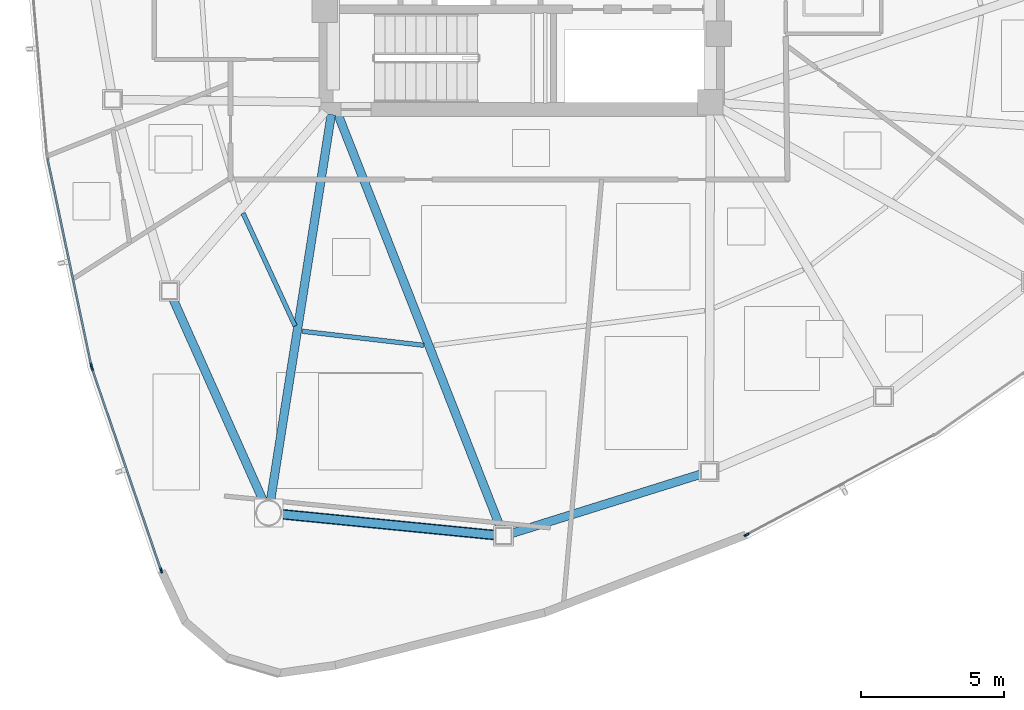
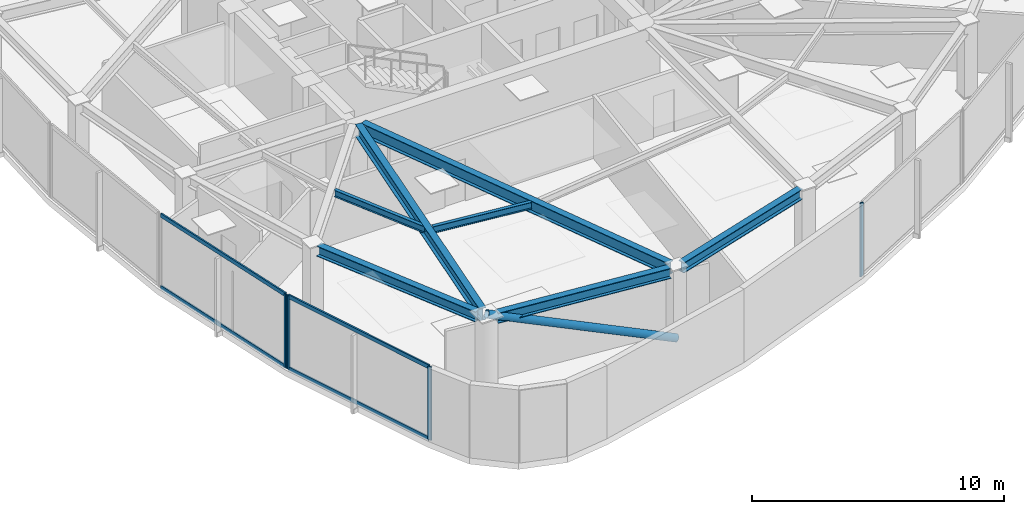
# One storey, part 2 of 17: 9 members, 7 beams, 3 elements without a shape of their own.
"""IFC4 building model written with IfcOpenShell, lengths in metres."""

from ifc_helpers import new_model, si_unit, direction, frame, origin, origin_2d, place, context, subcontext, project, spatial, hollow_rectangle, hollow_circle, i_section, extrude, source, transform, mapped, material, layer, layer_set, material_profile, profile_set, type_object, type_shapes, element, aggregate, save


model = new_model("IFC4")

# Units and contexts
model_context = context("Model", 3, precision=1e-05, world=origin(), true_north=direction((0.0, 1.0)))
body_context = subcontext(model_context, "Body", "Model", "MODEL_VIEW")
ifc_project = project(units=[si_unit("LENGTHUNIT", "METRE"), si_unit("AREAUNIT", "SQUARE_METRE"), si_unit("VOLUMEUNIT", "CUBIC_METRE"), si_unit("PLANEANGLEUNIT", "RADIAN"), si_unit("MASSUNIT", "GRAM", prefix="KILO")], contexts=[model_context])

# Site, building, storey
site_placement = place(None, origin())
site = spatial("IfcSite", under=ifc_project, at=site_placement, CompositionType="ELEMENT")
building_placement = place(site_placement, origin())
building = spatial("IfcBuilding", under=site, at=building_placement, Name="Tavelor Broadcast Tower", CompositionType="ELEMENT")
storey_placement = place(building_placement, frame((0.0, 0.0, 165.64990234375)))
storey = spatial("IfcBuildingStorey", under=building, at=storey_placement, Name="L39", CompositionType="ELEMENT", Elevation=165.64990234375)

# Beams
ifc_material_1 = material(Name="Steel S355", Category="steel")
ifc_material_profile_1 = material_profile(ifc_material_1, i_section(OverallWidth=0.159912109375, OverallDepth=0.330078125, WebThickness=0.007568359375, FlangeThickness=0.011474609375, at=origin_2d()), Name="IPE 330")
ifc_profile_set_1 = profile_set([ifc_material_profile_1], Name="Steel S355")
beam_type_1 = type_object("IfcBeamType", Name="Composite Floor Joist T4 IPE 330", PredefinedType="JOIST", material=ifc_profile_set_1)
beam_1_placement = place(storey_placement, frame((40.2470703125, 34.91259765625, 3.385009765625), z_axis=(0.418865688231, -0.908048200936, 0.0), x_axis=(0.908048200936, 0.418865688231, 0.0)))
element("IfcBeam", 1, at=beam_1_placement, inside=storey, type_object=beam_type_1, Name="L39 Secondary Composite Floor Joist 06", PredefinedType="JOIST", context=body_context, shape_type="SweptSolid", body=[
    extrude(i_section(OverallWidth=0.159912109375, OverallDepth=0.330078125, WebThickness=0.007568359375, FlangeThickness=0.011474609375, at=origin_2d()), origin(), (0.0, 0.0, 1.0), 4.343505859375),
])
beam_2_placement = place(storey_placement, frame((42.322021484375, 30.783447265625, 3.385009765625), z_axis=(0.99339343168, -0.114758397927, 0.0), x_axis=(0.114758397927, 0.99339343168, 0.0)))
element("IfcBeam", 2, at=beam_2_placement, inside=storey, type_object=beam_type_1, Name="L39 Secondary Composite Floor Joist 07", PredefinedType="JOIST", context=body_context, shape_type="SweptSolid", body=[
    extrude(i_section(OverallWidth=0.159912109375, OverallDepth=0.330078125, WebThickness=0.007568359375, FlangeThickness=0.011474609375, at=origin_2d()), origin(), (0.0, 0.0, 1.0), 4.2783203125),
])
ifc_material_profile_2 = material_profile(ifc_material_1, i_section(OverallWidth=0.300048828125, OverallDepth=0.5, WebThickness=0.014404296875, FlangeThickness=0.028076171875, at=origin_2d()), Name="HEB 500")
ifc_profile_set_2 = profile_set([ifc_material_profile_2], Name="Steel S355")
beam_type_2 = type_object("IfcBeamType", Name="Perimeter Spandrel Beam T4 HEB 500", PredefinedType="SPANDREL", material=ifc_profile_set_2)
beam_3_placement = place(storey_placement, frame((37.78564453125, 31.927490234375, 3.300048828125), z_axis=(0.407969002466, -0.912995779304, 0.0), x_axis=(0.912995779304, 0.407969002466, 0.0)))
element("IfcBeam", 3, at=beam_3_placement, inside=storey, type_object=beam_type_2, Name="L39 Framed-Tube Ring Spandrel 06", PredefinedType="SPANDREL", context=body_context, shape_type="SweptSolid", body=[
    extrude(i_section(OverallWidth=0.300048828125, OverallDepth=0.5, WebThickness=0.014404296875, FlangeThickness=0.028076171875, at=origin_2d()), origin(), (0.0, 0.0, 1.0), 7.7802734375),
])
beam_4_placement = place(storey_placement, frame((41.5751953125, 24.381103515625, 3.300048828125), z_axis=(0.995249339376, -0.097358884918, 0.0), x_axis=(0.097358884918, 0.995249339376, 0.0)))
element("IfcBeam", 4, at=beam_4_placement, inside=storey, type_object=beam_type_2, Name="L39 Framed-Tube Ring Spandrel 07", PredefinedType="SPANDREL", context=body_context, shape_type="SweptSolid", body=[
    extrude(i_section(OverallWidth=0.300048828125, OverallDepth=0.5, WebThickness=0.014404296875, FlangeThickness=0.028076171875, at=origin_2d()), origin(), (0.0, 0.0, 1.0), 7.54052734375),
])
beam_5_placement = place(storey_placement, frame((49.641357421875, 23.705078125, 3.300048828125), z_axis=(0.954273247332, 0.298935727918, 0.0), x_axis=(-0.298935727918, 0.954273247332, 0.0)))
element("IfcBeam", 5, at=beam_5_placement, inside=storey, type_object=beam_type_2, Name="L39 Framed-Tube Ring Spandrel 08", PredefinedType="SPANDREL", context=body_context, shape_type="SweptSolid", body=[
    extrude(i_section(OverallWidth=0.300048828125, OverallDepth=0.5, WebThickness=0.014404296875, FlangeThickness=0.028076171875, at=origin_2d()), origin(), (0.0, 0.0, 1.0), 6.963134765625),
])

# Member
ifc_material_profile_3 = material_profile(ifc_material_1, hollow_circle(Radius=0.177734375, WallThickness=0.01611328125, at=origin_2d()), Name="CHS 355.6x16")
ifc_profile_set_3 = profile_set([ifc_material_profile_3], Name="Steel S355")
member_type_1 = type_object("IfcMemberType", Name="Perimeter Tube Brace T4 CHS 355.6x16", PredefinedType="BRACE", material=ifc_profile_set_3)
member_1_placement = place(storey_placement, frame((49.366455078125, 23.618896484375, 0.0), z_axis=(-0.914496364203, 0.089466025126, 0.394578547577), x_axis=(-0.097366094377, -0.995248634094, 0.0)))
element("IfcMember", 6, at=member_1_placement, inside=storey, type_object=member_type_1, Name="L39 Corner Tube Diagonal Brace 2", PredefinedType="BRACE", context=body_context, shape_type="SweptSolid", body=[
    extrude(hollow_circle(Radius=0.177734375, WallThickness=0.01611328125, at=origin_2d()), origin(), (0.0, 0.0, 1.0), 8.9970703125),
])

# Beams
ifc_material_profile_4 = material_profile(ifc_material_1, i_section(OverallWidth=0.300048828125, OverallDepth=0.590087890625, WebThickness=0.012939453125, FlangeThickness=0.02490234375, at=origin_2d()), Name="HEA 600")
ifc_profile_set_4 = profile_set([ifc_material_profile_4], Name="Steel S355")
beam_type_3 = type_object("IfcBeamType", Name="Radial Floor Girder T4 HEA 600", PredefinedType="BEAM", material=ifc_profile_set_4)
beam_6_placement = place(storey_placement, frame((43.3330078125, 38.373291015625, 3.255126953125), z_axis=(-0.15539903111, -0.987851780952, 0.0), x_axis=(0.987851780952, -0.15539903111, 0.0)))
element("IfcBeam", 7, at=beam_6_placement, inside=storey, type_object=beam_type_3, Name="L39 Radial Primary Floor Girder 07", PredefinedType="BEAM", context=body_context, shape_type="SweptSolid", body=[
    extrude(i_section(OverallWidth=0.300048828125, OverallDepth=0.590087890625, WebThickness=0.012939453125, FlangeThickness=0.02490234375, at=origin_2d()), origin(), (0.0, 0.0, 1.0), 13.682373046875),
])
beam_7_placement = place(storey_placement, frame((43.55810546875, 38.39794921875, 3.255126953125), z_axis=(0.365784627572, -0.930699525213, 0.0), x_axis=(0.930699525213, 0.365784627572, 0.0)))
element("IfcBeam", 8, at=beam_7_placement, inside=storey, type_object=beam_type_3, Name="L39 Radial Primary Floor Girder 08", PredefinedType="BEAM", context=body_context, shape_type="SweptSolid", body=[
    extrude(i_section(OverallWidth=0.300048828125, OverallDepth=0.590087890625, WebThickness=0.012939453125, FlangeThickness=0.02490234375, at=origin_2d()), origin(), (0.0, 0.0, 1.0), 15.591552734375),
])

# Curtain wall, member
ifc_material_2 = material(Name="Architectural Anodized Aluminium", Category="aluminium")
ifc_layer = layer(ifc_material_2, 0.18994140625)
ifc_layer_set = layer_set([ifc_layer], Name="Architectural Anodized Aluminium")
curtain_wall_type = type_object("IfcCurtainWallType", Name="Tower Mid-Zone Acoustic Curtain Wall CW03", PredefinedType="NOTDEFINED", material=ifc_layer_set)
curtain_wall_1_placement = place(storey_placement, origin())
curtain_wall_1 = element("IfcCurtainWall", 9, at=curtain_wall_1_placement, inside=storey, type_object=curtain_wall_type, Name="L39 Curtain Wall CW03 Run 411", PredefinedType="NOTDEFINED")
ifc_material_profile_5 = material_profile(ifc_material_2, hollow_rectangle(XDim=0.068115234375, YDim=0.18994140625, WallThickness=0.02197265625, at=origin_2d()), Name="RHS 68x190x22")
ifc_profile_set_5 = profile_set([ifc_material_profile_5], Name="Architectural Anodized Aluminium")
member_type_2 = type_object("IfcMemberType", Name="CW03 Extruded Aluminium Mullion 68x190", PredefinedType="MULLION", material=ifc_profile_set_5)
shared_shape_1 = source(origin(), body_context, "Body", "SweptSolid", [
    extrude(hollow_rectangle(XDim=0.068115234375, YDim=0.18994140625, WallThickness=0.02197265625, at=origin_2d()), origin(), (0.0, 0.0, 1.0), 3.550048828125),
])
type_shapes(member_type_2, [shared_shape_1])
member_2_placement = place(storey_placement, frame((34.93359375, 29.582275390625, 0.0), z_axis=(0.0, 0.0, 1.0), x_axis=(0.978414644475, 0.206651357307, 0.0)))
member_2 = element("IfcMember", 10, at=member_2_placement, type_object=member_type_2, Name="CW03 mullion 2", PredefinedType="MULLION", context=body_context, shape_type="MappedRepresentation", body=[
    mapped(shared_shape_1, transform((0.0, 0.0, 0.0), scale=1.0)),
])

# Curtain wall, members
curtain_wall_2_placement = place(storey_placement, origin())
curtain_wall_2 = element("IfcCurtainWall", 11, at=curtain_wall_2_placement, inside=storey, type_object=curtain_wall_type, Name="L39 Curtain Wall CW03 Run 412", PredefinedType="NOTDEFINED")
member_3_placement = place(storey_placement, frame((34.959716796875, 29.488037109375, 0.0), z_axis=(0.0, 0.0, 1.0), x_axis=(0.946224671144, 0.323510234332, 0.0)))
member_3 = element("IfcMember", 12, at=member_3_placement, type_object=member_type_2, Name="CW03 mullion 1", PredefinedType="MULLION", context=body_context, shape_type="MappedRepresentation", body=[
    mapped(shared_shape_1, transform((0.0, 0.0, 0.0), scale=1.0)),
])
member_4_placement = place(storey_placement, frame((37.37744140625, 22.416748046875, 0.0), z_axis=(0.0, 0.0, 1.0), x_axis=(0.946224671144, 0.323510234332, 0.0)))
member_4 = element("IfcMember", 13, at=member_4_placement, type_object=member_type_2, Name="CW03 mullion 2", PredefinedType="MULLION", context=body_context, shape_type="MappedRepresentation", body=[
    mapped(shared_shape_1, transform((0.0, 0.0, 0.0), scale=1.0)),
])

# Curtain wall, member
curtain_wall_3_placement = place(storey_placement, origin())
curtain_wall_3 = element("IfcCurtainWall", 14, at=curtain_wall_3_placement, inside=storey, type_object=curtain_wall_type, Name="L39 Curtain Wall CW03 Run 413", PredefinedType="NOTDEFINED")
member_5_placement = place(storey_placement, frame((57.870361328125, 23.6630859375, 0.0), z_axis=(0.0, 0.0, 1.0), x_axis=(-0.469837080168, 0.882753146751, 0.0)))
member_5 = element("IfcMember", 15, at=member_5_placement, type_object=member_type_2, Name="CW03 mullion 1", PredefinedType="MULLION", context=body_context, shape_type="MappedRepresentation", body=[
    mapped(shared_shape_1, transform((0.0, 0.0, 0.0), scale=1.0)),
])
aggregate(curtain_wall_3, [member_5])

# Member
ifc_material_profile_6 = material_profile(ifc_material_2, hollow_rectangle(XDim=0.068115234375, YDim=0.18994140625, WallThickness=0.02197265625, at=origin_2d()), Name="RHS 68x190x22")
ifc_profile_set_6 = profile_set([ifc_material_profile_6], Name="Architectural Anodized Aluminium")
member_type_3 = type_object("IfcMemberType", Name="CW03 Extruded Aluminium Transom 68x190", PredefinedType="USERDEFINED", material=ifc_profile_set_6)
shared_shape_2 = source(origin(), body_context, "Body", "SweptSolid", [
    extrude(hollow_rectangle(XDim=0.068115234375, YDim=0.18994140625, WallThickness=0.02197265625, at=origin_2d()), origin(), (0.0, 0.0, 1.0), 7.38916015625),
])
member_6_placement = place(storey_placement, frame((33.399658203125, 36.845458984375, 0.0341796875), z_axis=(0.206664836166, -0.978411797503, 0.0), x_axis=(0.978411797503, 0.206664836166, 0.0)))
member_6 = element("IfcMember", 16, at=member_6_placement, type_object=member_type_3, Name="CW03 transom 1.1", ObjectType="TRANSOM", PredefinedType="USERDEFINED", context=body_context, shape_type="MappedRepresentation", body=[
    mapped(shared_shape_2, transform((0.0, 0.0, 0.0), scale=1.0)),
])

member_7_placement = place(storey_placement, frame((33.399658203125, 36.845458984375, 3.51611328125), z_axis=(0.206664836166, -0.978411797503, 0.0), x_axis=(0.978411797503, 0.206664836166, 0.0)))
member_7 = element("IfcMember", 17, at=member_7_placement, type_object=member_type_3, Name="CW03 transom 1.2", ObjectType="TRANSOM", PredefinedType="USERDEFINED", context=body_context, shape_type="MappedRepresentation", body=[
    mapped(shared_shape_2, transform((0.0, 0.0, 0.0), scale=1.0)),
])

aggregate(curtain_wall_1, [member_2, member_6, member_7])

shared_shape_3 = source(origin(), body_context, "Body", "SweptSolid", [
    extrude(hollow_rectangle(XDim=0.068115234375, YDim=0.18994140625, WallThickness=0.02197265625, at=origin_2d()), origin(), (0.0, 0.0, 1.0), 7.405517578125),
])
type_shapes(member_type_3, [shared_shape_2, shared_shape_3])
member_8_placement = place(storey_placement, frame((34.970703125, 29.4560546875, 0.0341796875), z_axis=(0.32350748773, -0.946225610192, 0.0), x_axis=(0.946225610192, 0.32350748773, 0.0)))
member_8 = element("IfcMember", 18, at=member_8_placement, type_object=member_type_3, Name="CW03 transom 1.1", ObjectType="TRANSOM", PredefinedType="USERDEFINED", context=body_context, shape_type="MappedRepresentation", body=[
    mapped(shared_shape_3, transform((0.0, 0.0, 0.0), scale=1.0)),
])

member_9_placement = place(storey_placement, frame((34.970703125, 29.4560546875, 3.51611328125), z_axis=(0.32350748773, -0.946225610192, 0.0), x_axis=(0.946225610192, 0.32350748773, 0.0)))
member_9 = element("IfcMember", 19, at=member_9_placement, type_object=member_type_3, Name="CW03 transom 1.2", ObjectType="TRANSOM", PredefinedType="USERDEFINED", context=body_context, shape_type="MappedRepresentation", body=[
    mapped(shared_shape_3, transform((0.0, 0.0, 0.0), scale=1.0)),
])

aggregate(curtain_wall_2, [member_3, member_4, member_8, member_9])

save(model, "model.ifc")
